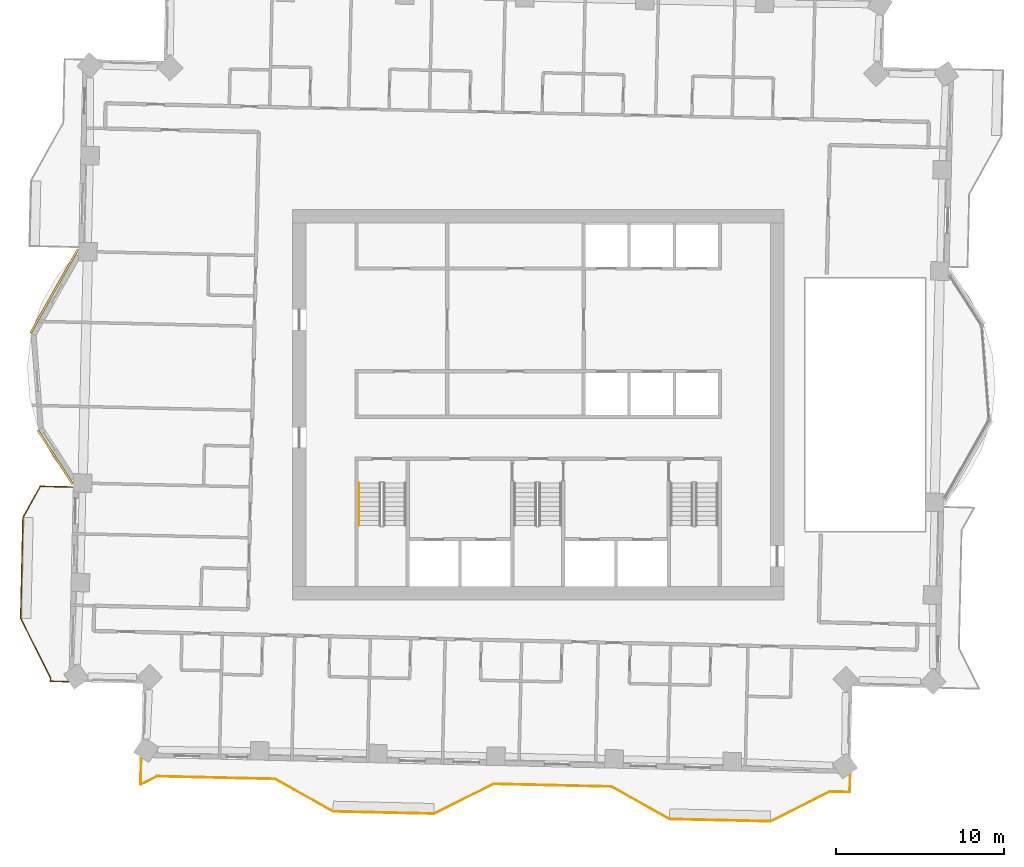
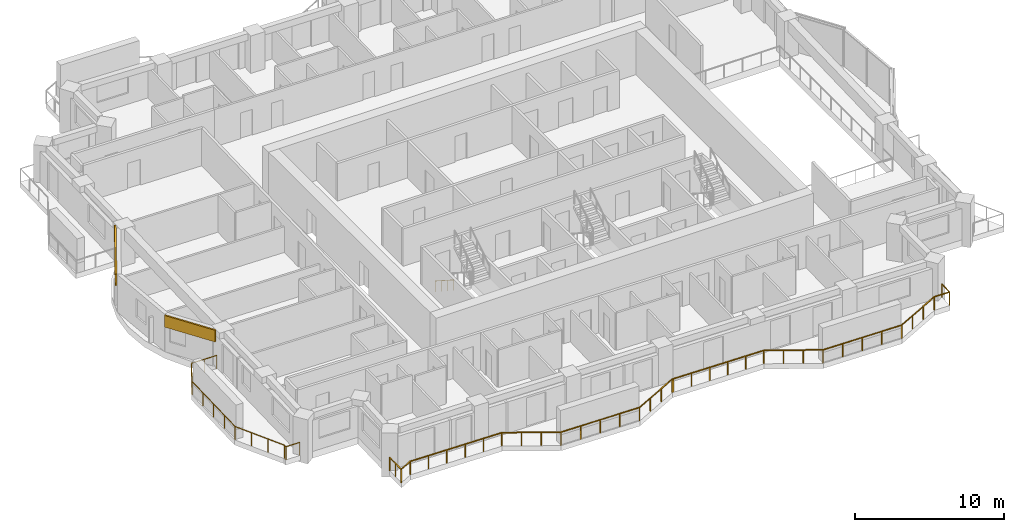
# One storey, part 13 of 16: 3 railings, 2 coverings.
"""IFC4 building model written with IfcOpenShell, lengths in metres."""

from ifc_helpers import new_model, si_unit, direction, frame, frame_2d, origin, origin_2d, place, context, subcontext, project, spatial, rectangle, circle, extrude, material, layer, layer_set, type_object, element, save


model = new_model("IFC4")

# Units and contexts
model_context = context("Model", 3, precision=1e-05, world=origin(), true_north=direction((0.0, 1.0)))
body_context = subcontext(model_context, "Body", "Model", "MODEL_VIEW")
ifc_project = project(units=[si_unit("LENGTHUNIT", "METRE"), si_unit("AREAUNIT", "SQUARE_METRE"), si_unit("VOLUMEUNIT", "CUBIC_METRE"), si_unit("PLANEANGLEUNIT", "RADIAN"), si_unit("MASSUNIT", "GRAM", prefix="KILO")], contexts=[model_context])

# Site, building, storey
site_placement = place(None, origin())
site = spatial("IfcSite", under=ifc_project, at=site_placement, CompositionType="ELEMENT")
building_placement = place(site_placement, origin())
building = spatial("IfcBuilding", under=site, at=building_placement, Name="Mangrove Gate Tower", CompositionType="ELEMENT")
storey_placement = place(building_placement, frame((0.0, 0.0, 212.300048828125)))
storey = spatial("IfcBuildingStorey", under=building, at=storey_placement, Name="L54", CompositionType="ELEMENT", Elevation=212.300048828125)

# Railings
ifc_material_1 = material(Name="Stainless steel grade 316 with laminated glass infill", Category="steel")
railing_type_1 = type_object("IfcRailingType", Name="Balcony guard 1100", PredefinedType="GUARDRAIL", material=ifc_material_1)
railing_1_placement = place(storey_placement, frame((-27.6669921875, -4.885986328125, 0.0)))
element("IfcRailing", 1, at=railing_1_placement, inside=storey, type_object=railing_type_1, Name="GUARD L54 W2", PredefinedType="GUARDRAIL", context=body_context, shape_type="SweptSolid", body=[
    extrude(rectangle(XDim=0.048095703125, YDim=0.048095703125, at=origin_2d()), frame((0.0, 0.0, 1.076171875), z_axis=(-0.999737880615, 0.022894760625, 0.0), x_axis=(-0.022894760625, -0.999737880615, 0.0)), (0.0, 0.0, 1.0), 1.91943359375),
    extrude(rectangle(XDim=0.048095703125, YDim=0.048095703125, at=origin_2d()), frame((-1.9189453125, 0.0439453125, 1.076171875), z_axis=(-0.487098711433, -0.873346921515, 0.0), x_axis=(0.873346921515, -0.487098711433, 0.0)), (0.0, 0.0, 1.0), 2.12060546875),
    extrude(rectangle(XDim=0.048095703125, YDim=0.048095703125, at=origin_2d()), frame((-2.951904296875, -1.80810546875, 1.076171875), z_axis=(-0.022666865795, -0.999743073592, 0.0), x_axis=(0.999743073592, -0.022666865795, 0.0)), (0.0, 0.0, 1.0), 5.999267578125),
    extrude(rectangle(XDim=0.048095703125, YDim=0.048095703125, at=origin_2d()), frame((-3.087890625, -7.805908203125, 1.076171875), z_axis=(0.447065574839, -0.894501186021, 0.0), x_axis=(0.894501186021, 0.447065574839, 0.0)), (0.0, 0.0, 1.0), 3.958740234375),
    extrude(rectangle(XDim=0.048095703125, YDim=0.048095703125, at=origin_2d()), frame((-1.318115234375, -11.346923828125, 1.076171875), z_axis=(-0.019508481785, -0.999809691461, 0.0), x_axis=(0.999809691461, -0.019508481785, 0.0)), (0.0, 0.0, 1.0), 0.2001953125),
    extrude(rectangle(XDim=0.048095703125, YDim=0.048095703125, at=origin_2d()), frame((-1.322021484375, -11.547119140625, 1.076171875), z_axis=(0.999744919731, -0.022585293253, 0.0), x_axis=(0.022585293253, 0.999744919731, 0.0)), (0.0, 0.0, 1.0), 1.059326171875),
    extrude(rectangle(XDim=0.0419921875, YDim=0.0419921875, at=origin_2d()), origin(), (0.0, 0.0, 1.0), 1.052001953125),
    extrude(rectangle(XDim=0.0419921875, YDim=0.0419921875, at=origin_2d()), frame((-0.95947265625, 0.02197265625, 0.0)), (0.0, 0.0, 1.0), 1.052001953125),
    extrude(rectangle(XDim=0.0419921875, YDim=0.0419921875, at=origin_2d()), frame((-1.9189453125, 0.0439453125, 0.0)), (0.0, 0.0, 1.0), 1.052001953125),
    extrude(rectangle(XDim=0.0419921875, YDim=0.0419921875, at=origin_2d()), frame((-2.435546875, -0.882080078125, 0.0)), (0.0, 0.0, 1.0), 1.052001953125),
    extrude(rectangle(XDim=0.0419921875, YDim=0.0419921875, at=origin_2d()), frame((-2.951904296875, -1.80810546875, 0.0)), (0.0, 0.0, 1.0), 1.052001953125),
    extrude(rectangle(XDim=0.0419921875, YDim=0.0419921875, at=origin_2d()), frame((-2.98583984375, -3.3076171875, 0.0)), (0.0, 0.0, 1.0), 1.052001953125),
    extrude(rectangle(XDim=0.0419921875, YDim=0.0419921875, at=origin_2d()), frame((-3.02001953125, -4.80712890625, 0.0)), (0.0, 0.0, 1.0), 1.052001953125),
    extrude(rectangle(XDim=0.0419921875, YDim=0.0419921875, at=origin_2d()), frame((-3.053955078125, -6.306396484375, 0.0)), (0.0, 0.0, 1.0), 1.052001953125),
    extrude(rectangle(XDim=0.0419921875, YDim=0.0419921875, at=origin_2d()), frame((-3.087890625, -7.805908203125, 0.0)), (0.0, 0.0, 1.0), 1.052001953125),
    extrude(rectangle(XDim=0.0419921875, YDim=0.0419921875, at=origin_2d()), frame((-2.498046875, -8.986328125, 0.0)), (0.0, 0.0, 1.0), 1.052001953125),
    extrude(rectangle(XDim=0.0419921875, YDim=0.0419921875, at=origin_2d()), frame((-1.907958984375, -10.16650390625, 0.0)), (0.0, 0.0, 1.0), 1.052001953125),
    extrude(rectangle(XDim=0.0419921875, YDim=0.0419921875, at=origin_2d()), frame((-1.318115234375, -11.346923828125, 0.0)), (0.0, 0.0, 1.0), 1.052001953125),
    extrude(rectangle(XDim=0.0419921875, YDim=0.0419921875, at=origin_2d()), frame((-1.322021484375, -11.547119140625, 0.0)), (0.0, 0.0, 1.0), 1.052001953125),
    extrude(rectangle(XDim=0.0419921875, YDim=0.0419921875, at=origin_2d()), frame((-0.262939453125, -11.571044921875, 0.0)), (0.0, 0.0, 1.0), 1.052001953125),
])
railing_2_placement = place(storey_placement, frame((-23.592041015625, -20.9970703125, 0.0)))
element("IfcRailing", 2, at=railing_2_placement, inside=storey, type_object=railing_type_1, Name="GUARD L54 S1", PredefinedType="GUARDRAIL", context=body_context, shape_type="SweptSolid", body=[
    extrude(rectangle(XDim=0.048095703125, YDim=0.048095703125, at=origin_2d()), frame((0.0, 0.0, 1.076171875), z_axis=(-0.022189165295, -0.999753790162, 0.0), x_axis=(0.999753790162, -0.022189165295, 0.0)), (0.0, 0.0, 1.0), 1.573486328125),
    extrude(rectangle(XDim=0.048095703125, YDim=0.048095703125, at=origin_2d()), frame((-0.034912109375, -1.572998046875, 1.076171875), z_axis=(0.89460488584, 0.446858029167, 0.0), x_axis=(-0.446858029167, 0.89460488584, 0.0)), (0.0, 0.0, 1.0), 1.0986328125),
    extrude(rectangle(XDim=0.048095703125, YDim=0.048095703125, at=origin_2d()), frame((0.947998046875, -1.08203125, 1.076171875), z_axis=(0.999745423737, -0.022562972274, 0.0), x_axis=(0.022562972274, 0.999745423737, 0.0)), (0.0, 0.0, 1.0), 7.000732421875),
    extrude(rectangle(XDim=0.048095703125, YDim=0.048095703125, at=origin_2d()), frame((7.947021484375, -1.239990234375, 1.076171875), z_axis=(0.87325689943, -0.48726008209, 0.0), x_axis=(0.48726008209, 0.87325689943, 0.0)), (0.0, 0.0, 1.0), 3.958740234375),
    extrude(rectangle(XDim=0.048095703125, YDim=0.048095703125, at=origin_2d()), frame((11.404052734375, -3.1689453125, 1.076171875), z_axis=(0.999739392852, -0.022828630714, 0.0), x_axis=(0.022828630714, 0.999739392852, 0.0)), (0.0, 0.0, 1.0), 5.99951171875),
    extrude(rectangle(XDim=0.048095703125, YDim=0.048095703125, at=origin_2d()), frame((17.402099609375, -3.305908203125, 1.076171875), z_axis=(0.894377854182, 0.447312255532, 0.0), x_axis=(-0.447312255532, 0.894377854182, 0.0)), (0.0, 0.0, 1.0), 3.959228515625),
    extrude(rectangle(XDim=0.048095703125, YDim=0.048095703125, at=origin_2d()), frame((20.943115234375, -1.534912109375, 1.076171875), z_axis=(0.999569864189, -0.029327233179, 0.0), x_axis=(0.029327233179, 0.999569864189, 0.0)), (0.0, 0.0, 1.0), 0.099853515625),
    extrude(rectangle(XDim=0.048095703125, YDim=0.048095703125, at=origin_2d()), frame((21.04296875, -1.537841796875, 1.076171875), z_axis=(0.999744368397, -0.022609685061, 0.0), x_axis=(0.022609685061, 0.999744368397, 0.0)), (0.0, 0.0, 1.0), 6.89990234375),
    extrude(rectangle(XDim=0.048095703125, YDim=0.048095703125, at=origin_2d()), frame((27.941162109375, -1.69384765625, 1.076171875), z_axis=(0.873274580395, -0.487228393298, 0.0), x_axis=(0.487228393298, 0.873274580395, 0.0)), (0.0, 0.0, 1.0), 3.95947265625),
    extrude(rectangle(XDim=0.048095703125, YDim=0.048095703125, at=origin_2d()), frame((31.39892578125, -3.623046875, 1.076171875), z_axis=(0.999743094499, -0.022665943652, 0.0), x_axis=(0.022665943652, 0.999743094499, 0.0)), (0.0, 0.0, 1.0), 5.99951171875),
    extrude(rectangle(XDim=0.048095703125, YDim=0.048095703125, at=origin_2d()), frame((37.39697265625, -3.759033203125, 1.076171875), z_axis=(0.894476522376, 0.447114919141, 0.0), x_axis=(-0.447114919141, 0.894476522376, 0.0)), (0.0, 0.0, 1.0), 3.958740234375),
    extrude(rectangle(XDim=0.048095703125, YDim=0.048095703125, at=origin_2d()), frame((40.93798828125, -1.989013671875, 1.076171875), z_axis=(0.999737625868, -0.022905881867, 0.0), x_axis=(0.022905881867, 0.999737625868, 0.0)), (0.0, 0.0, 1.0), 1.17236328125),
    extrude(rectangle(XDim=0.048095703125, YDim=0.048095703125, at=origin_2d()), frame((42.110107421875, -2.015869140625, 1.076171875), z_axis=(0.022564497502, 0.999745389313, 0.0), x_axis=(-0.999745389313, 0.022564497502, 0.0)), (0.0, 0.0, 1.0), 1.060302734375),
    extrude(rectangle(XDim=0.0419921875, YDim=0.0419921875, at=origin_2d()), origin(), (0.0, 0.0, 1.0), 1.052001953125),
    extrude(rectangle(XDim=0.0419921875, YDim=0.0419921875, at=origin_2d()), frame((-0.017578125, -0.78662109375, 0.0)), (0.0, 0.0, 1.0), 1.052001953125),
    extrude(rectangle(XDim=0.0419921875, YDim=0.0419921875, at=origin_2d()), frame((-0.034912109375, -1.572998046875, 0.0)), (0.0, 0.0, 1.0), 1.052001953125),
    extrude(rectangle(XDim=0.0419921875, YDim=0.0419921875, at=origin_2d()), frame((0.947998046875, -1.08203125, 0.0)), (0.0, 0.0, 1.0), 1.052001953125),
    extrude(rectangle(XDim=0.0419921875, YDim=0.0419921875, at=origin_2d()), frame((2.347900390625, -1.113525390625, 0.0)), (0.0, 0.0, 1.0), 1.052001953125),
    extrude(rectangle(XDim=0.0419921875, YDim=0.0419921875, at=origin_2d()), frame((3.74755859375, -1.145263671875, 0.0)), (0.0, 0.0, 1.0), 1.052001953125),
    extrude(rectangle(XDim=0.0419921875, YDim=0.0419921875, at=origin_2d()), frame((5.1474609375, -1.1767578125, 0.0)), (0.0, 0.0, 1.0), 1.052001953125),
    extrude(rectangle(XDim=0.0419921875, YDim=0.0419921875, at=origin_2d()), frame((6.547119140625, -1.20849609375, 0.0)), (0.0, 0.0, 1.0), 1.052001953125),
    extrude(rectangle(XDim=0.0419921875, YDim=0.0419921875, at=origin_2d()), frame((7.947021484375, -1.239990234375, 0.0)), (0.0, 0.0, 1.0), 1.052001953125),
    extrude(rectangle(XDim=0.0419921875, YDim=0.0419921875, at=origin_2d()), frame((9.099365234375, -1.883056640625, 0.0)), (0.0, 0.0, 1.0), 1.052001953125),
    extrude(rectangle(XDim=0.0419921875, YDim=0.0419921875, at=origin_2d()), frame((10.251708984375, -2.52587890625, 0.0)), (0.0, 0.0, 1.0), 1.052001953125),
    extrude(rectangle(XDim=0.0419921875, YDim=0.0419921875, at=origin_2d()), frame((11.404052734375, -3.1689453125, 0.0)), (0.0, 0.0, 1.0), 1.052001953125),
    extrude(rectangle(XDim=0.0419921875, YDim=0.0419921875, at=origin_2d()), frame((12.903564453125, -3.203125, 0.0)), (0.0, 0.0, 1.0), 1.052001953125),
    extrude(rectangle(XDim=0.0419921875, YDim=0.0419921875, at=origin_2d()), frame((14.403076171875, -3.2373046875, 0.0)), (0.0, 0.0, 1.0), 1.052001953125),
    extrude(rectangle(XDim=0.0419921875, YDim=0.0419921875, at=origin_2d()), frame((15.902587890625, -3.271728515625, 0.0)), (0.0, 0.0, 1.0), 1.052001953125),
    extrude(rectangle(XDim=0.0419921875, YDim=0.0419921875, at=origin_2d()), frame((17.402099609375, -3.305908203125, 0.0)), (0.0, 0.0, 1.0), 1.052001953125),
    extrude(rectangle(XDim=0.0419921875, YDim=0.0419921875, at=origin_2d()), frame((18.58251953125, -2.715576171875, 0.0)), (0.0, 0.0, 1.0), 1.052001953125),
    extrude(rectangle(XDim=0.0419921875, YDim=0.0419921875, at=origin_2d()), frame((19.7626953125, -2.125244140625, 0.0)), (0.0, 0.0, 1.0), 1.052001953125),
    extrude(rectangle(XDim=0.0419921875, YDim=0.0419921875, at=origin_2d()), frame((20.943115234375, -1.534912109375, 0.0)), (0.0, 0.0, 1.0), 1.052001953125),
    extrude(rectangle(XDim=0.0419921875, YDim=0.0419921875, at=origin_2d()), frame((21.04296875, -1.537841796875, 0.0)), (0.0, 0.0, 1.0), 1.052001953125),
    extrude(rectangle(XDim=0.0419921875, YDim=0.0419921875, at=origin_2d()), frame((22.422607421875, -1.569091796875, 0.0)), (0.0, 0.0, 1.0), 1.052001953125),
    extrude(rectangle(XDim=0.0419921875, YDim=0.0419921875, at=origin_2d()), frame((23.80224609375, -1.600341796875, 0.0)), (0.0, 0.0, 1.0), 1.052001953125),
    extrude(rectangle(XDim=0.0419921875, YDim=0.0419921875, at=origin_2d()), frame((25.181884765625, -1.63134765625, 0.0)), (0.0, 0.0, 1.0), 1.052001953125),
    extrude(rectangle(XDim=0.0419921875, YDim=0.0419921875, at=origin_2d()), frame((26.5615234375, -1.66259765625, 0.0)), (0.0, 0.0, 1.0), 1.052001953125),
    extrude(rectangle(XDim=0.0419921875, YDim=0.0419921875, at=origin_2d()), frame((27.941162109375, -1.69384765625, 0.0)), (0.0, 0.0, 1.0), 1.052001953125),
    extrude(rectangle(XDim=0.0419921875, YDim=0.0419921875, at=origin_2d()), frame((29.09375, -2.3369140625, 0.0)), (0.0, 0.0, 1.0), 1.052001953125),
    extrude(rectangle(XDim=0.0419921875, YDim=0.0419921875, at=origin_2d()), frame((30.246337890625, -2.97998046875, 0.0)), (0.0, 0.0, 1.0), 1.052001953125),
    extrude(rectangle(XDim=0.0419921875, YDim=0.0419921875, at=origin_2d()), frame((31.39892578125, -3.623046875, 0.0)), (0.0, 0.0, 1.0), 1.052001953125),
    extrude(rectangle(XDim=0.0419921875, YDim=0.0419921875, at=origin_2d()), frame((32.8984375, -3.656982421875, 0.0)), (0.0, 0.0, 1.0), 1.052001953125),
    extrude(rectangle(XDim=0.0419921875, YDim=0.0419921875, at=origin_2d()), frame((34.39794921875, -3.69091796875, 0.0)), (0.0, 0.0, 1.0), 1.052001953125),
    extrude(rectangle(XDim=0.0419921875, YDim=0.0419921875, at=origin_2d()), frame((35.8974609375, -3.72509765625, 0.0)), (0.0, 0.0, 1.0), 1.052001953125),
    extrude(rectangle(XDim=0.0419921875, YDim=0.0419921875, at=origin_2d()), frame((37.39697265625, -3.759033203125, 0.0)), (0.0, 0.0, 1.0), 1.052001953125),
    extrude(rectangle(XDim=0.0419921875, YDim=0.0419921875, at=origin_2d()), frame((38.577392578125, -3.1689453125, 0.0)), (0.0, 0.0, 1.0), 1.052001953125),
    extrude(rectangle(XDim=0.0419921875, YDim=0.0419921875, at=origin_2d()), frame((39.757568359375, -2.5791015625, 0.0)), (0.0, 0.0, 1.0), 1.052001953125),
    extrude(rectangle(XDim=0.0419921875, YDim=0.0419921875, at=origin_2d()), frame((40.93798828125, -1.989013671875, 0.0)), (0.0, 0.0, 1.0), 1.052001953125),
    extrude(rectangle(XDim=0.0419921875, YDim=0.0419921875, at=origin_2d()), frame((42.110107421875, -2.015869140625, 0.0)), (0.0, 0.0, 1.0), 1.052001953125),
    extrude(rectangle(XDim=0.0419921875, YDim=0.0419921875, at=origin_2d()), frame((42.134033203125, -0.955810546875, 0.0)), (0.0, 0.0, 1.0), 1.052001953125),
])
ifc_material_2 = material(Name="Stainless steel 316", Category="steel")
railing_type_2 = type_object("IfcRailingType", Name="Core stair handrail 900", PredefinedType="HANDRAIL", material=ifc_material_2)
railing_3_placement = place(storey_placement, frame((-10.64990234375, -4.64990234375, 0.179931640625)))
element("IfcRailing", 3, at=railing_3_placement, inside=storey, type_object=railing_type_2, Name="L54 ST1 stair handrail 1", PredefinedType="HANDRAIL", context=body_context, shape_type="SweptSolid", body=[
    extrude(circle(Radius=0.02392578125, at=origin_2d()), frame((0.0, 0.0, 0.8759765625), z_axis=(0.0, -0.841162588446, 0.540782303519), x_axis=(1.0, 0.0, 0.0)), (0.0, 0.0, 1.0), 2.995849609375),
    extrude(circle(Radius=0.02099609375, at=origin_2d()), origin(), (0.0, 0.0, 1.0), 0.851806640625),
    extrude(circle(Radius=0.02099609375, at=origin_2d()), frame((0.0, -0.840087890625, 0.5400390625)), (0.0, 0.0, 1.0), 0.851806640625),
    extrude(circle(Radius=0.02099609375, at=origin_2d()), frame((0.0, -1.679931640625, 1.080078125)), (0.0, 0.0, 1.0), 0.851806640625),
    extrude(circle(Radius=0.02099609375, at=origin_2d()), frame((0.0, -2.52001953125, 1.6201171875)), (0.0, 0.0, 1.0), 0.851806640625),
])

# Coverings
ifc_material_3 = material(Name="Limestone", Category="masonry")
ifc_layer_1 = layer(ifc_material_3, 0.0400390625, Name="Limestone cladding")
ifc_material_4 = material(Name="Stainless steel anchors and cavity", Category="steel")
ifc_layer_2 = layer(ifc_material_4, 0.080078125, Name="Fixing cavity")
ifc_layer_set = layer_set([ifc_layer_1, ifc_layer_2], Name="Joint fascia cladding 120")
covering_type = type_object("IfcCoveringType", Name="Joint fascia cladding 120", PredefinedType="CLADDING", material=ifc_layer_set)
covering_1_placement = place(storey_placement, frame((-27.35693359375, 9.236572265625, 2.099853515625), z_axis=(0.0, 0.0, 1.0), x_axis=(-0.492512614445, -0.870305305403, 0.0)))
element("IfcCovering", 4, at=covering_1_placement, inside=storey, type_object=covering_type, Name="STONE FASCIA L54 W9.L1", PredefinedType="CLADDING", context=body_context, shape_type="SweptSolid", body=[
    extrude(rectangle(XDim=5.70556640625, YDim=0.1201171875, at=frame_2d((2.852783203125, 0.0))), origin(), (0.0, 0.0, 1.0), 0.9501953125),
])
covering_2_placement = place(storey_placement, frame((-29.73095703125, -1.501953125, 2.099853515625), z_axis=(0.0, 0.0, 1.0), x_axis=(0.540340805768, -0.841446263063, 0.0)))
element("IfcCovering", 5, at=covering_2_placement, inside=storey, type_object=covering_type, Name="STONE FASCIA L54 W9.L2", PredefinedType="CLADDING", context=body_context, shape_type="SweptSolid", body=[
    extrude(rectangle(XDim=3.81982421875, YDim=0.1201171875, at=frame_2d((1.909912109375, 0.0))), origin(), (0.0, 0.0, 1.0), 0.9501953125),
])

save(model, "model.ifc")
